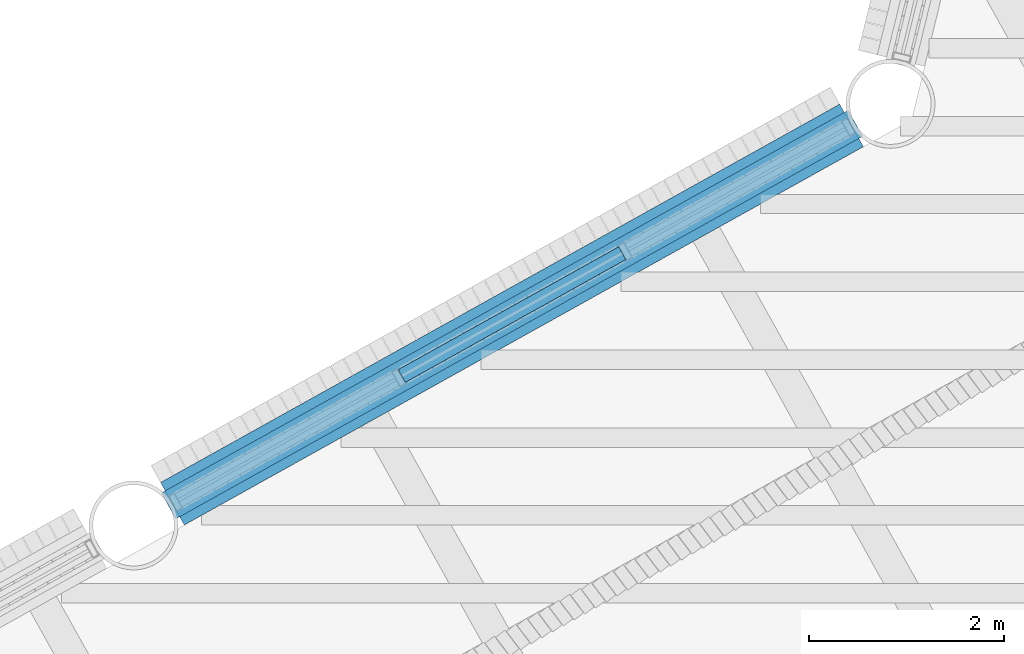
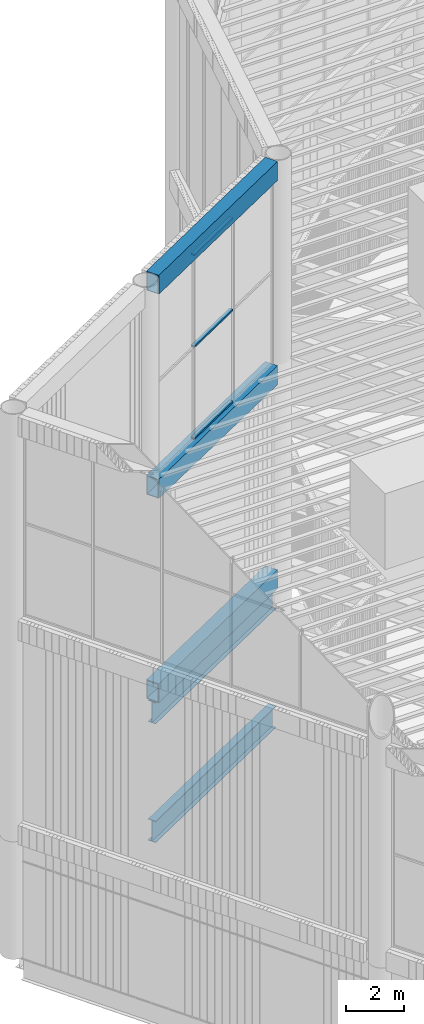
# One storey, part 37 of 117: 5 beams, 3 members, 1 element without a shape of its own.
"""IFC4 building model written with IfcOpenShell, lengths in metres."""

from ifc_helpers import new_model, si_unit, direction, frame, origin, origin_2d, place, context, subcontext, project, spatial, hollow_rectangle, i_section, extrude, material, layer, layer_set, material_profile, profile_set, type_object, element, aggregate, save


model = new_model("IFC4")

# Units and contexts
model_context = context("Model", 3, precision=1e-05, world=origin(), true_north=direction((0.0, 1.0)))
body_context = subcontext(model_context, "Body", "Model", "MODEL_VIEW")
ifc_project = project(units=[si_unit("LENGTHUNIT", "METRE"), si_unit("AREAUNIT", "SQUARE_METRE"), si_unit("VOLUMEUNIT", "CUBIC_METRE"), si_unit("PLANEANGLEUNIT", "RADIAN"), si_unit("MASSUNIT", "GRAM", prefix="KILO")], contexts=[model_context])

# Site, building, storey
site_placement = place(None, origin())
site = spatial("IfcSite", under=ifc_project, at=site_placement, CompositionType="ELEMENT")
building_placement = place(site_placement, origin())
building = spatial("IfcBuilding", under=site, at=building_placement, Name="Tarsis Ring Headquarters", CompositionType="ELEMENT")
storey_placement = place(building_placement, frame((0.0, 0.0, 403.60009765625)))
storey = spatial("IfcBuildingStorey", under=building, at=storey_placement, Name="L95", CompositionType="ELEMENT", Elevation=403.60009765625)

# Beams
ifc_material_1 = material(Name="Structural steel S355", Category="steel")
ifc_material_profile_1 = material_profile(ifc_material_1, hollow_rectangle(XDim=0.5, YDim=0.800048828125, WallThickness=0.030029296875, at=origin_2d()), Name="RHS 800x500x30")
ifc_profile_set_1 = profile_set([ifc_material_profile_1], Name="Structural steel S355")
beam_type_1 = type_object("IfcBeamType", Name="Crown frame ring beam RHS 800x500x30", PredefinedType="BEAM", material=ifc_profile_set_1)
for number, where, z_axis, x_axis, name in (
    (1, (-29.437744140625, 0.543212890625, 5.39990234375), (-0.873598789311, -0.486646848664, 0.0), (0.486646848664, -0.873598789311, 0.0), "Crown frame ring beam R14"),
    (2, (-29.437744140625, 0.543212890625, 14.0), (-0.873598789311, -0.486646848664, 0.0), (0.486646848664, -0.873598789311, 0.0), "Crown frame ring beam M14"),
    (3, (-29.437744140625, 0.543212890625, 22.599853515625), (-0.873598789311, -0.486646848664, 0.0), (0.486646848664, -0.873598789311, 0.0), "Crown frame ring beam T14"),
):
    element("IfcBeam", number, at=place(storey_placement, frame(where, z_axis=z_axis, x_axis=x_axis)), inside=storey, type_object=beam_type_1, Name=name, PredefinedType="BEAM", context=body_context, shape_type="SweptSolid", body=[
        extrude(hollow_rectangle(XDim=0.5, YDim=0.800048828125, WallThickness=0.030029296875, at=origin_2d()), origin(), (0.0, 0.0, 1.0), 7.98828125),
    ])

# Curtain wall, members
ifc_material_2 = material(Name="Aluminium curtain wall", Category="aluminium")
ifc_layer = layer(ifc_material_2, 0.179931640625)
ifc_layer_set = layer_set([ifc_layer], Name="Curtain wall crown glazing")
curtain_wall_type = type_object("IfcCurtainWallType", Name="Curtain wall crown glazing", PredefinedType="NOTDEFINED", material=ifc_layer_set)
curtain_wall_placement = place(storey_placement, origin())
curtain_wall = element("IfcCurtainWall", 4, at=curtain_wall_placement, inside=storey, type_object=curtain_wall_type, Name="Crown glazing U14", PredefinedType="NOTDEFINED")
ifc_material_3 = material(Name="Aluminium transom", Category="aluminium")
ifc_material_profile_2 = material_profile(ifc_material_3, hollow_rectangle(XDim=0.14990234375, YDim=0.070068359375, WallThickness=0.0048828125, at=origin_2d()), Name="RHS 150x70x5")
ifc_profile_set_2 = profile_set([ifc_material_profile_2], Name="Aluminium transom")
member_type = type_object("IfcMemberType", Name="Crown glazing transom RHS 150x70x5", PredefinedType="USERDEFINED", material=ifc_profile_set_2)
member_1_placement = place(storey_placement, frame((-31.79443359375, -0.769775390625, 14.434814453125), z_axis=(-0.873614868837, -0.486617982556, 0.0), x_axis=(0.486617982556, -0.873614868837, 0.0)))
member_1 = element("IfcMember", 5, at=member_1_placement, type_object=member_type, Name="CW-C transom 2.1", ObjectType="TRANSOM", PredefinedType="USERDEFINED", context=body_context, shape_type="SweptSolid", body=[
    extrude(hollow_rectangle(XDim=0.14990234375, YDim=0.070068359375, WallThickness=0.0048828125, at=origin_2d()), origin(), (0.0, 0.0, 1.0), 2.5927734375),
])
member_2_placement = place(storey_placement, frame((-31.79443359375, -0.769775390625, 18.2998046875), z_axis=(-0.873614868837, -0.486617982556, 0.0), x_axis=(0.486617982556, -0.873614868837, 0.0)))
member_2 = element("IfcMember", 6, at=member_2_placement, type_object=member_type, Name="CW-C transom 2.2", ObjectType="TRANSOM", PredefinedType="USERDEFINED", context=body_context, shape_type="SweptSolid", body=[
    extrude(hollow_rectangle(XDim=0.14990234375, YDim=0.070068359375, WallThickness=0.0048828125, at=origin_2d()), origin(), (0.0, 0.0, 1.0), 2.5927734375),
])
member_3_placement = place(storey_placement, frame((-31.79443359375, -0.769775390625, 22.164794921875), z_axis=(-0.873614868837, -0.486617982556, 0.0), x_axis=(0.486617982556, -0.873614868837, 0.0)))
member_3 = element("IfcMember", 7, at=member_3_placement, type_object=member_type, Name="CW-C transom 2.3", ObjectType="TRANSOM", PredefinedType="USERDEFINED", context=body_context, shape_type="SweptSolid", body=[
    extrude(hollow_rectangle(XDim=0.14990234375, YDim=0.070068359375, WallThickness=0.0048828125, at=origin_2d()), origin(), (0.0, 0.0, 1.0), 2.5927734375),
])
aggregate(curtain_wall, [member_1, member_2, member_3])

# Beams
ifc_material_profile_3 = material_profile(ifc_material_1, i_section(OverallWidth=0.3046875, OverallDepth=0.904296875, WebThickness=0.01513671875, FlangeThickness=0.02001953125, at=origin_2d()), Name="W36x135")
ifc_profile_set_3 = profile_set([ifc_material_profile_3], Name="Structural steel S355")
beam_type_2 = type_object("IfcBeamType", Name="XG Ring girder W36x135", PredefinedType="BEAM", material=ifc_profile_set_3)
for number, where, z_axis, x_axis, name in (
    (8, (-29.39794921875, 0.565185546875, -0.4521484375), (-0.873606516854, -0.48663297639, 0.0), (0.48663297639, -0.873606516854, 0.0), "Ring girder XG5"),
    (9, (-29.39794921875, 0.565185546875, 4.5478515625), (-0.873606516854, -0.48663297639, 0.0), (0.48663297639, -0.873606516854, 0.0), "Ring girder XG5"),
):
    element("IfcBeam", number, at=place(storey_placement, frame(where, z_axis=z_axis, x_axis=x_axis)), inside=storey, type_object=beam_type_2, Name=name, PredefinedType="BEAM", context=body_context, shape_type="SweptSolid", body=[
        extrude(i_section(OverallWidth=0.3046875, OverallDepth=0.904296875, WebThickness=0.01513671875, FlangeThickness=0.02001953125, at=origin_2d()), origin(), (0.0, 0.0, 1.0), 8.079345703125),
    ])

save(model, "model.ifc")
